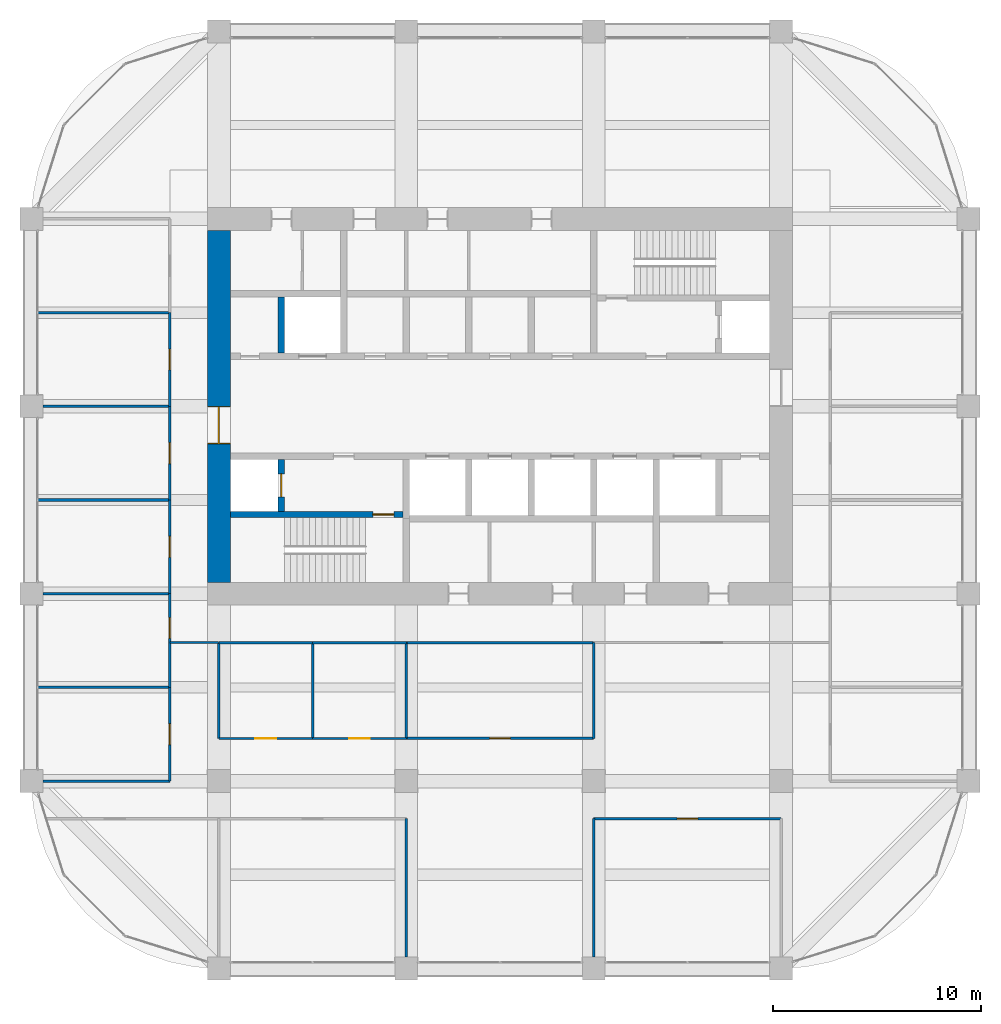
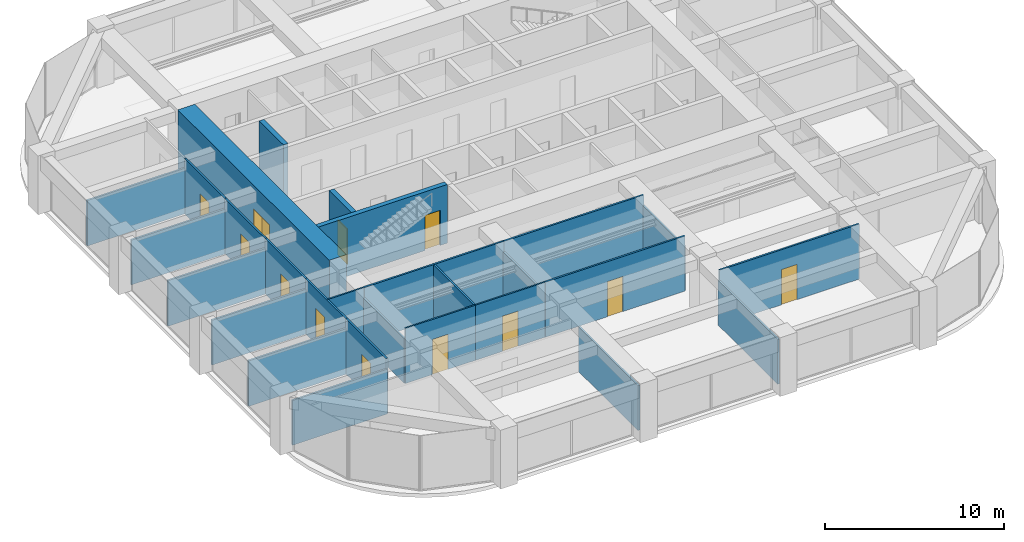
# One storey, part 41 of 44: 29 walls, 12 doors, 12 openings.
"""IFC4 building model written with IfcOpenShell, lengths in metres."""

from ifc_helpers import new_model, si_unit, direction, frame, frame_2d, origin, place, context, subcontext, project, spatial, rectangle, extrude, material, layer, layer_set, type_object, element, fill, save


model = new_model("IFC4")

# Units and contexts
model_context = context("Model", 3, precision=1e-05, world=origin(), true_north=direction((0.0, 1.0)))
body_context = subcontext(model_context, "Body", "Model", "MODEL_VIEW")
ifc_project = project(units=[si_unit("LENGTHUNIT", "METRE"), si_unit("AREAUNIT", "SQUARE_METRE"), si_unit("VOLUMEUNIT", "CUBIC_METRE"), si_unit("PLANEANGLEUNIT", "RADIAN"), si_unit("MASSUNIT", "GRAM", prefix="KILO")], contexts=[model_context])

# Site, building, storey
site_placement = place(None, origin())
site = spatial("IfcSite", under=ifc_project, at=site_placement, CompositionType="ELEMENT")
building_placement = place(site_placement, origin())
building = spatial("IfcBuilding", under=site, at=building_placement, Name="Zorevar Civic Tower", CompositionType="ELEMENT")
storey_placement = place(building_placement, frame((0.0, 0.0, 287.39990234375)))
storey = spatial("IfcBuildingStorey", under=building, at=storey_placement, Name="L70", CompositionType="ELEMENT", Elevation=287.39990234375)

# Wall, opening, door
ifc_material_1 = material(Name="Concrete C50/60", Category="concrete")
ifc_layer_1 = layer(ifc_material_1, 1.10009765625)
ifc_layer_set_1 = layer_set([ifc_layer_1], Name="Core wall 1100")
wall_type_1 = type_object("IfcWallType", Name="Core wall 1100", PredefinedType="SHEAR", material=ifc_layer_set_1)
wall_1_placement = place(storey_placement, frame((18.0, 35.449951171875, 0.0), z_axis=(0.0, 0.0, 1.0), x_axis=(0.0, -1.0, 0.0)))
wall_1 = element("IfcWall", 1, at=wall_1_placement, inside=storey, type_object=wall_type_1, Name="Core wall W L70", PredefinedType="SHEAR", context=body_context, shape_type="SweptSolid", body=[
    extrude(rectangle(XDim=16.89990234375, YDim=1.10009765625, at=frame_2d((8.449951171875, 0.0))), origin(), (0.0, 0.0, 1.0), 4.0),
])
opening_1_placement = place(wall_1_placement, frame((8.449951171875, 0.0, 0.0)))
opening_1 = element("IfcOpeningElement", 2, at=opening_1_placement, cuts=wall_1, Name="Opening L70.01", PredefinedType="OPENING", context=body_context, shape_type="SweptSolid", body=[
    extrude(rectangle(XDim=1.800048828125, YDim=2.39990234375, at=frame_2d((0.89990234375, 1.199951171875))), frame((0.0, 0.56005859375, 0.0), z_axis=(0.0, -1.0, 0.0), x_axis=(1.0, 0.0, 0.0)), (0.0, 0.0, 1.0), 1.1201171875),
])
ifc_material_2 = material(Name="Steel door set", Category="steel")
door_type_1 = type_object("IfcDoorType", Name="Fire door FD2 1800x2400", OperationType="DOUBLE_DOOR_DOUBLE_SWING", PredefinedType="DOOR", material=ifc_material_2)
door_1_placement = place(opening_1_placement, origin())
door_1 = element("IfcDoor", 3, at=door_1_placement, inside=storey, type_object=door_type_1, Name="Door L70 00", OperationType="DOUBLE_DOOR_DOUBLE_SWING", OverallHeight=2.39990234375, OverallWidth=1.800048828125, PredefinedType="DOOR", context=body_context, shape_type="SweptSolid", body=[
    extrude(rectangle(XDim=1.800048828125, YDim=2.39990234375, at=frame_2d((0.89990234375, 1.199951171875))), frame((0.0, 0.030029296875, 0.0), z_axis=(0.0, -1.0, 0.0), x_axis=(1.0, 0.0, 0.0)), (0.0, 0.0, 1.0), 0.06005859375),
    extrude(rectangle(XDim=0.04, YDim=2.39990234375, at=frame_2d((0.02001953125, 1.199951171875))), frame((0.0, 0.5498046875, 0.0), z_axis=(0.0, -1.0, 0.0), x_axis=(1.0, 0.0, 0.0)), (0.0, 0.0, 1.0), 1.099609375),
    extrude(rectangle(XDim=0.04, YDim=2.39990234375, at=frame_2d((1.780029296875, 1.199951171875))), frame((0.0, 0.5498046875, 0.0), z_axis=(0.0, -1.0, 0.0), x_axis=(1.0, 0.0, 0.0)), (0.0, 0.0, 1.0), 1.099609375),
    extrude(rectangle(XDim=1.800048828125, YDim=0.04, at=frame_2d((0.89990234375, 2.3798828125))), frame((0.0, 0.5498046875, 0.0), z_axis=(0.0, -1.0, 0.0), x_axis=(1.0, 0.0, 0.0)), (0.0, 0.0, 1.0), 1.099609375),
])
fill(opening_1, door_1)

ifc_material_3 = material(Name="Laminated glass in black aluminium frame", Category="aluminium")
ifc_layer_2 = layer(ifc_material_3, 0.10009765625)
ifc_layer_set_2 = layer_set([ifc_layer_2], Name="Glazed partition 100")
wall_type_2 = type_object("IfcWallType", Name="Glazed partition 100", PredefinedType="PARTITIONING", material=ifc_layer_set_2)
wall_2_placement = place(storey_placement, frame((18.0, 11.050048828125, 0.0), z_axis=(0.0, 0.0, 1.0), x_axis=(1.0, 0.0, 0.0)))
wall_2 = element("IfcWall", 4, at=wall_2_placement, inside=storey, type_object=wall_type_2, Name="Glazed partition 100 L70", PredefinedType="PARTITIONING", context=body_context, shape_type="SweptSolid", body=[
    extrude(rectangle(XDim=4.5, YDim=0.10009765625, at=frame_2d((2.25, 0.0))), origin(), (0.0, 0.0, 1.0), 3.75),
])
opening_2_placement = place(wall_2_placement, frame((1.75, 0.0, 0.0)))
opening_2 = element("IfcOpeningElement", 5, at=opening_2_placement, cuts=wall_2, Name="Opening L70.21", PredefinedType="OPENING", context=body_context, shape_type="SweptSolid", body=[
    extrude(rectangle(XDim=1.0, YDim=2.39990234375, at=frame_2d((0.5, 1.199951171875))), frame((0.0, 0.06005859375, 0.0), z_axis=(0.0, -1.0, 0.0), x_axis=(1.0, 0.0, 0.0)), (0.0, 0.0, 1.0), 0.1201171875),
])
ifc_material_4 = material(Name="Timber door set", Category="wood")
door_type_2 = type_object("IfcDoorType", Name="Glazed door GD1 1000x2400", OperationType="SINGLE_SWING_LEFT", PredefinedType="DOOR", material=ifc_material_4)
door_2_placement = place(opening_2_placement, origin())
door_2 = element("IfcDoor", 6, at=door_2_placement, inside=storey, type_object=door_type_2, Name="Door L70 D1", OperationType="SINGLE_SWING_LEFT", OverallHeight=2.39990234375, OverallWidth=1.0, PredefinedType="DOOR", context=body_context, shape_type="SweptSolid", body=[
    extrude(rectangle(XDim=1.0, YDim=2.39990234375, at=frame_2d((0.5, 1.199951171875))), frame((0.0, 0.02001953125, 0.0), z_axis=(0.0, -1.0, 0.0), x_axis=(1.0, 0.0, 0.0)), (0.0, 0.0, 1.0), 0.0400390625),
])
fill(opening_2, door_2)

wall_3_placement = place(storey_placement, frame((22.5, 11.050048828125, 0.0), z_axis=(0.0, 0.0, 1.0), x_axis=(1.0, 0.0, 0.0)))
wall_3 = element("IfcWall", 7, at=wall_3_placement, inside=storey, type_object=wall_type_2, Name="Glazed partition 100 L70", PredefinedType="PARTITIONING", context=body_context, shape_type="SweptSolid", body=[
    extrude(rectangle(XDim=4.5, YDim=0.10009765625, at=frame_2d((2.25, 0.0))), origin(), (0.0, 0.0, 1.0), 3.75),
])
opening_3_placement = place(wall_3_placement, frame((1.75, 0.0, 0.0)))
opening_3 = element("IfcOpeningElement", 8, at=opening_3_placement, cuts=wall_3, Name="Opening L70.22", PredefinedType="OPENING", context=body_context, shape_type="SweptSolid", body=[
    extrude(rectangle(XDim=1.0, YDim=2.39990234375, at=frame_2d((0.5, 1.199951171875))), frame((0.0, 0.06005859375, 0.0), z_axis=(0.0, -1.0, 0.0), x_axis=(1.0, 0.0, 0.0)), (0.0, 0.0, 1.0), 0.1201171875),
])
door_3_placement = place(opening_3_placement, origin())
door_3 = element("IfcDoor", 9, at=door_3_placement, inside=storey, type_object=door_type_2, Name="Door L70 D1", OperationType="SINGLE_SWING_LEFT", OverallHeight=2.39990234375, OverallWidth=1.0, PredefinedType="DOOR", context=body_context, shape_type="SweptSolid", body=[
    extrude(rectangle(XDim=1.0, YDim=2.39990234375, at=frame_2d((0.5, 1.199951171875))), frame((0.0, 0.02001953125, 0.0), z_axis=(0.0, -1.0, 0.0), x_axis=(1.0, 0.0, 0.0)), (0.0, 0.0, 1.0), 0.0400390625),
])
fill(opening_3, door_3)

# Wall
wall_4_placement = place(storey_placement, frame((15.659912109375, 15.64990234375, 0.0), z_axis=(0.0, 0.0, 1.0), x_axis=(1.0, 0.0, 0.0)))
element("IfcWall", 10, at=wall_4_placement, inside=storey, type_object=wall_type_2, Name="Glazed partition 100 L70", PredefinedType="PARTITIONING", context=body_context, shape_type="SweptSolid", body=[
    extrude(rectangle(XDim=2.330078125, YDim=0.10009765625, at=frame_2d((1.1650390625, 0.0))), origin(), (0.0, 0.0, 1.0), 3.75),
])

# Wall, opening, door
ifc_material_5 = material(Name="Concrete C40/50", Category="concrete")
ifc_layer_3 = layer(ifc_material_5, 0.300048828125)
ifc_layer_set_3 = layer_set([ifc_layer_3], Name="Inner core wall 300")
wall_type_3 = type_object("IfcWallType", Name="Inner core wall 300", PredefinedType="SHEAR", material=ifc_layer_set_3)
wall_5_placement = place(storey_placement, frame((18.550048828125, 21.800048828125, 0.0), z_axis=(0.0, 0.0, 1.0), x_axis=(1.0, 0.0, 0.0)))
wall_5 = element("IfcWall", 11, at=wall_5_placement, inside=storey, type_object=wall_type_3, Name="Inner core wall S00 L70", PredefinedType="SHEAR", context=body_context, shape_type="SweptSolid", body=[
    extrude(rectangle(XDim=8.300048828125, YDim=0.300048828125, at=frame_2d((4.14990234375, 0.0))), origin(), (0.0, 0.0, 1.0), 4.0),
])
opening_4_placement = place(wall_5_placement, frame((6.85009765625, 0.0, 0.0)))
opening_4 = element("IfcOpeningElement", 12, at=opening_4_placement, cuts=wall_5, Name="Opening L70.11", PredefinedType="OPENING", context=body_context, shape_type="SweptSolid", body=[
    extrude(rectangle(XDim=1.0, YDim=2.39990234375, at=frame_2d((0.5, 1.199951171875))), frame((0.0, 0.159912109375, 0.0), z_axis=(0.0, -1.0, 0.0), x_axis=(1.0, 0.0, 0.0)), (0.0, 0.0, 1.0), 0.320068359375),
])
ifc_material_6 = material(Name="Steel door set", Category="steel")
door_type_3 = type_object("IfcDoorType", Name="Fire door FD1 1000x2400", OperationType="SINGLE_SWING_LEFT", PredefinedType="DOOR", material=ifc_material_6)
door_4_placement = place(opening_4_placement, origin())
door_4 = element("IfcDoor", 13, at=door_4_placement, inside=storey, type_object=door_type_3, Name="Door L70 10", OperationType="SINGLE_SWING_RIGHT", OverallHeight=2.39990234375, OverallWidth=1.0, PredefinedType="DOOR", context=body_context, shape_type="SweptSolid", body=[
    extrude(rectangle(XDim=1.0, YDim=2.39990234375, at=frame_2d((0.5, 1.199951171875))), frame((0.0, 0.030029296875, 0.0), z_axis=(0.0, -1.0, 0.0), x_axis=(1.0, 0.0, 0.0)), (0.0, 0.0, 1.0), 0.06005859375),
])
fill(opening_4, door_4)

wall_6_placement = place(storey_placement, frame((21.0, 21.949951171875, 0.0), z_axis=(0.0, 0.0, 1.0), x_axis=(0.0, 1.0, 0.0)))
wall_6 = element("IfcWall", 14, at=wall_6_placement, inside=storey, type_object=wall_type_3, Name="Inner core wall S02 L70", PredefinedType="SHEAR", context=body_context, shape_type="SweptSolid", body=[
    extrude(rectangle(XDim=2.5, YDim=0.300048828125, at=frame_2d((1.25, 0.0))), origin(), (0.0, 0.0, 1.0), 4.0),
])
opening_5_placement = place(wall_6_placement, frame((0.699951171875, 0.0, 0.0)))
opening_5 = element("IfcOpeningElement", 15, at=opening_5_placement, cuts=wall_6, Name="Opening L70.FL1", PredefinedType="OPENING", context=body_context, shape_type="SweptSolid", body=[
    extrude(rectangle(XDim=1.10009765625, YDim=2.39990234375, at=frame_2d((0.550048828125, 1.199951171875))), frame((0.0, 0.159912109375, 0.0), z_axis=(0.0, -1.0, 0.0), x_axis=(1.0, 0.0, 0.0)), (0.0, 0.0, 1.0), 0.320068359375),
])
ifc_material_7 = material(Name="Steel door set", Category="steel")
door_type_4 = type_object("IfcDoorType", Name="Firefighting lift landing door LD3 1100x2400", OperationType="DOUBLE_DOOR_SLIDING", PredefinedType="DOOR", material=ifc_material_7)
door_5_placement = place(opening_5_placement, origin())
door_5 = element("IfcDoor", 16, at=door_5_placement, inside=storey, type_object=door_type_4, Name="Landing door FL1 L70", OperationType="DOUBLE_DOOR_SLIDING", OverallHeight=2.39990234375, OverallWidth=1.10009765625, PredefinedType="DOOR", context=body_context, shape_type="SweptSolid", body=[
    extrude(rectangle(XDim=1.10009765625, YDim=2.39990234375, at=frame_2d((0.550048828125, 1.199951171875))), frame((0.0, 0.030029296875, 0.0), z_axis=(0.0, -1.0, 0.0), x_axis=(1.0, 0.0, 0.0)), (0.0, 0.0, 1.0), 0.06005859375),
])
fill(opening_5, door_5)

# Wall
wall_7_placement = place(storey_placement, frame((21.0, 29.550048828125, 0.0), z_axis=(0.0, 0.0, 1.0), x_axis=(0.0, 1.0, 0.0)))
element("IfcWall", 17, at=wall_7_placement, inside=storey, type_object=wall_type_3, Name="Inner core wall N09 L70", PredefinedType="SHEAR", context=body_context, shape_type="SweptSolid", body=[
    extrude(rectangle(XDim=2.699951171875, YDim=0.300048828125, at=frame_2d((1.35009765625, 0.0))), origin(), (0.0, 0.0, 1.0), 4.0),
])

# Wall, opening, door
ifc_material_8 = material(Name="Gypsum board on steel studs", Category="steel")
ifc_layer_4 = layer(ifc_material_8, 0.1201171875)
ifc_layer_set_4 = layer_set([ifc_layer_4], Name="Partition 120")
wall_type_4 = type_object("IfcWallType", Name="Partition 120", PredefinedType="PARTITIONING", material=ifc_layer_set_4)
wall_8_placement = place(storey_placement, frame((36.0, 7.199951171875, 0.0), z_axis=(0.0, 0.0, 1.0), x_axis=(1.0, 0.0, 0.0)))
wall_8 = element("IfcWall", 18, at=wall_8_placement, inside=storey, type_object=wall_type_4, Name="Partition 120 L70", PredefinedType="PARTITIONING", context=body_context, shape_type="SweptSolid", body=[
    extrude(rectangle(XDim=9.0, YDim=0.1201171875, at=frame_2d((4.5, 0.0))), origin(), (0.0, 0.0, 1.0), 3.75),
])
opening_6_placement = place(wall_8_placement, frame((4.0, 0.0, 0.0)))
opening_6 = element("IfcOpeningElement", 19, at=opening_6_placement, cuts=wall_8, Name="Opening L70.18", PredefinedType="OPENING", context=body_context, shape_type="SweptSolid", body=[
    extrude(rectangle(XDim=1.0, YDim=2.39990234375, at=frame_2d((0.5, 1.199951171875))), frame((0.0, 0.070068359375, 0.0), z_axis=(0.0, -1.0, 0.0), x_axis=(1.0, 0.0, 0.0)), (0.0, 0.0, 1.0), 0.14013671875),
])
ifc_material_9 = material(Name="Timber door set", Category="wood")
door_type_5 = type_object("IfcDoorType", Name="Door D1 1000x2400", OperationType="SINGLE_SWING_LEFT", PredefinedType="DOOR", material=ifc_material_9)
door_6_placement = place(opening_6_placement, origin())
door_6 = element("IfcDoor", 20, at=door_6_placement, inside=storey, type_object=door_type_5, Name="Door L70 D1", OperationType="SINGLE_SWING_LEFT", OverallHeight=2.39990234375, OverallWidth=1.0, PredefinedType="DOOR", context=body_context, shape_type="SweptSolid", body=[
    extrude(rectangle(XDim=1.0, YDim=2.39990234375, at=frame_2d((0.5, 1.199951171875))), frame((0.0, 0.02490234375, 0.0), z_axis=(0.0, -1.0, 0.0), x_axis=(1.0, 0.0, 0.0)), (0.0, 0.0, 1.0), 0.050048828125),
])
fill(opening_6, door_6)

# Wall
wall_9_placement = place(storey_placement, frame((9.550048828125, 9.0, 0.0), z_axis=(0.0, 0.0, 1.0), x_axis=(1.0, 0.0, 0.0)))
element("IfcWall", 21, at=wall_9_placement, inside=storey, type_object=wall_type_4, Name="Partition 120 L70", PredefinedType="PARTITIONING", context=body_context, shape_type="SweptSolid", body=[
    extrude(rectangle(XDim=6.099853515625, YDim=0.1201171875, at=frame_2d((3.0498046875, 0.0))), origin(), (0.0, 0.0, 1.0), 3.050048828125),
])

# Wall, opening, door
wall_10_placement = place(storey_placement, frame((27.0, 11.050048828125, 0.0), z_axis=(0.0, 0.0, 1.0), x_axis=(1.0, 0.0, 0.0)))
wall_10 = element("IfcWall", 22, at=wall_10_placement, inside=storey, type_object=wall_type_4, Name="Partition 120 L70", PredefinedType="PARTITIONING", context=body_context, shape_type="SweptSolid", body=[
    extrude(rectangle(XDim=9.0, YDim=0.1201171875, at=frame_2d((4.5, 0.0))), origin(), (0.0, 0.0, 1.0), 3.75),
])
opening_7_placement = place(wall_10_placement, frame((4.0, 0.0, 0.0)))
opening_7 = element("IfcOpeningElement", 23, at=opening_7_placement, cuts=wall_10, Name="Opening L70.20", PredefinedType="OPENING", context=body_context, shape_type="SweptSolid", body=[
    extrude(rectangle(XDim=1.0, YDim=2.39990234375, at=frame_2d((0.5, 1.199951171875))), frame((0.0, 0.070068359375, 0.0), z_axis=(0.0, -1.0, 0.0), x_axis=(1.0, 0.0, 0.0)), (0.0, 0.0, 1.0), 0.14013671875),
])
door_7_placement = place(opening_7_placement, origin())
door_7 = element("IfcDoor", 24, at=door_7_placement, inside=storey, type_object=door_type_5, Name="Door L70 D1", OperationType="SINGLE_SWING_RIGHT", OverallHeight=2.39990234375, OverallWidth=1.0, PredefinedType="DOOR", context=body_context, shape_type="SweptSolid", body=[
    extrude(rectangle(XDim=1.0, YDim=2.39990234375, at=frame_2d((0.5, 1.199951171875))), frame((0.0, 0.02490234375, 0.0), z_axis=(0.0, -1.0, 0.0), x_axis=(1.0, 0.0, 0.0)), (0.0, 0.0, 1.0), 0.050048828125),
])
fill(opening_7, door_7)

# Walls
wall_11_placement = place(storey_placement, frame((9.31005859375, 13.5, 0.0), z_axis=(0.0, 0.0, 1.0), x_axis=(1.0, 0.0, 0.0)))
element("IfcWall", 25, at=wall_11_placement, inside=storey, type_object=wall_type_4, Name="Partition 120 L70", PredefinedType="PARTITIONING", context=body_context, shape_type="SweptSolid", body=[
    extrude(rectangle(XDim=6.33984375, YDim=0.1201171875, at=frame_2d((3.169921875, 0.0))), origin(), (0.0, 0.0, 1.0), 3.10009765625),
])
wall_12_placement = place(storey_placement, frame((27.0, 15.64990234375, 0.0), z_axis=(0.0, 0.0, 1.0), x_axis=(1.0, 0.0, 0.0)))
element("IfcWall", 26, at=wall_12_placement, inside=storey, type_object=wall_type_4, Name="Partition 120 L70", PredefinedType="PARTITIONING", context=body_context, shape_type="SweptSolid", body=[
    extrude(rectangle(XDim=9.0, YDim=0.1201171875, at=frame_2d((4.5, 0.0))), origin(), (0.0, 0.0, 1.0), 3.75),
])
for number, where, z_axis, x_axis, name in (
    (27, (18.0, 15.64990234375, 0.0), (0.0, 0.0, 1.0), (1.0, 0.0, 0.0), "Partition 120 L70"),
    (28, (22.5, 15.64990234375, 0.0), (0.0, 0.0, 1.0), (1.0, 0.0, 0.0), "Partition 120 L70"),
):
    element("IfcWall", number, at=place(storey_placement, frame(where, z_axis=z_axis, x_axis=x_axis)), inside=storey, type_object=wall_type_4, Name=name, PredefinedType="PARTITIONING", context=body_context, shape_type="SweptSolid", body=[
        extrude(rectangle(XDim=4.5, YDim=0.1201171875, at=frame_2d((2.25, 0.0))), origin(), (0.0, 0.0, 1.0), 3.75),
    ])
wall_13_placement = place(storey_placement, frame((9.550048828125, 18.0, 0.0), z_axis=(0.0, 0.0, 1.0), x_axis=(1.0, 0.0, 0.0)))
element("IfcWall", 29, at=wall_13_placement, inside=storey, type_object=wall_type_4, Name="Partition 120 L70", PredefinedType="PARTITIONING", context=body_context, shape_type="SweptSolid", body=[
    extrude(rectangle(XDim=6.099853515625, YDim=0.1201171875, at=frame_2d((3.0498046875, 0.0))), origin(), (0.0, 0.0, 1.0), 3.050048828125),
])
wall_14_placement = place(storey_placement, frame((9.31005859375, 22.5, 0.0), z_axis=(0.0, 0.0, 1.0), x_axis=(1.0, 0.0, 0.0)))
element("IfcWall", 30, at=wall_14_placement, inside=storey, type_object=wall_type_4, Name="Partition 120 L70", PredefinedType="PARTITIONING", context=body_context, shape_type="SweptSolid", body=[
    extrude(rectangle(XDim=6.33984375, YDim=0.1201171875, at=frame_2d((3.169921875, 0.0))), origin(), (0.0, 0.0, 1.0), 3.10009765625),
])
wall_15_placement = place(storey_placement, frame((9.550048828125, 27.0, 0.0), z_axis=(0.0, 0.0, 1.0), x_axis=(1.0, 0.0, 0.0)))
element("IfcWall", 31, at=wall_15_placement, inside=storey, type_object=wall_type_4, Name="Partition 120 L70", PredefinedType="PARTITIONING", context=body_context, shape_type="SweptSolid", body=[
    extrude(rectangle(XDim=6.099853515625, YDim=0.1201171875, at=frame_2d((3.0498046875, 0.0))), origin(), (0.0, 0.0, 1.0), 3.050048828125),
])
wall_16_placement = place(storey_placement, frame((9.31005859375, 31.5, 0.0), z_axis=(0.0, 0.0, 1.0), x_axis=(1.0, 0.0, 0.0)))
element("IfcWall", 32, at=wall_16_placement, inside=storey, type_object=wall_type_4, Name="Partition 120 L70", PredefinedType="PARTITIONING", context=body_context, shape_type="SweptSolid", body=[
    extrude(rectangle(XDim=6.33984375, YDim=0.1201171875, at=frame_2d((3.169921875, 0.0))), origin(), (0.0, 0.0, 1.0), 3.10009765625),
])

# Wall, opening, door
wall_17_placement = place(storey_placement, frame((15.64990234375, 9.0, 0.0), z_axis=(0.0, 0.0, 1.0), x_axis=(0.0, 1.0, 0.0)))
wall_17 = element("IfcWall", 33, at=wall_17_placement, inside=storey, type_object=wall_type_4, Name="Partition 120 L70", PredefinedType="PARTITIONING", context=body_context, shape_type="SweptSolid", body=[
    extrude(rectangle(XDim=4.5, YDim=0.1201171875, at=frame_2d((2.25, 0.0))), origin(), (0.0, 0.0, 1.0), 3.75),
])
opening_8_placement = place(wall_17_placement, frame((1.75, 0.0, 0.0)))
opening_8 = element("IfcOpeningElement", 34, at=opening_8_placement, cuts=wall_17, Name="Opening L70.24", PredefinedType="OPENING", context=body_context, shape_type="SweptSolid", body=[
    extrude(rectangle(XDim=1.0, YDim=2.39990234375, at=frame_2d((0.5, 1.199951171875))), frame((0.0, 0.070068359375, 0.0), z_axis=(0.0, -1.0, 0.0), x_axis=(1.0, 0.0, 0.0)), (0.0, 0.0, 1.0), 0.14013671875),
])
door_8_placement = place(opening_8_placement, origin())
door_8 = element("IfcDoor", 35, at=door_8_placement, inside=storey, type_object=door_type_5, Name="Door L70 D1", OperationType="SINGLE_SWING_LEFT", OverallHeight=2.39990234375, OverallWidth=1.0, PredefinedType="DOOR", context=body_context, shape_type="SweptSolid", body=[
    extrude(rectangle(XDim=1.0, YDim=2.39990234375, at=frame_2d((0.5, 1.199951171875))), frame((0.0, 0.02490234375, 0.0), z_axis=(0.0, -1.0, 0.0), x_axis=(1.0, 0.0, 0.0)), (0.0, 0.0, 1.0), 0.050048828125),
])
fill(opening_8, door_8)

wall_18_placement = place(storey_placement, frame((15.64990234375, 13.5, 0.0), z_axis=(0.0, 0.0, 1.0), x_axis=(0.0, 1.0, 0.0)))
wall_18 = element("IfcWall", 36, at=wall_18_placement, inside=storey, type_object=wall_type_4, Name="Partition 120 L70", PredefinedType="PARTITIONING", context=body_context, shape_type="SweptSolid", body=[
    extrude(rectangle(XDim=4.5, YDim=0.1201171875, at=frame_2d((2.25, 0.0))), origin(), (0.0, 0.0, 1.0), 3.75),
])
opening_9_placement = place(wall_18_placement, frame((2.35009765625, 0.0, 0.0)))
opening_9 = element("IfcOpeningElement", 37, at=opening_9_placement, cuts=wall_18, Name="Opening L70.25", PredefinedType="OPENING", context=body_context, shape_type="SweptSolid", body=[
    extrude(rectangle(XDim=1.0, YDim=2.39990234375, at=frame_2d((0.5, 1.199951171875))), frame((0.0, 0.070068359375, 0.0), z_axis=(0.0, -1.0, 0.0), x_axis=(1.0, 0.0, 0.0)), (0.0, 0.0, 1.0), 0.14013671875),
])
door_9_placement = place(opening_9_placement, origin())
door_9 = element("IfcDoor", 38, at=door_9_placement, inside=storey, type_object=door_type_5, Name="Door L70 D1", OperationType="SINGLE_SWING_RIGHT", OverallHeight=2.39990234375, OverallWidth=1.0, PredefinedType="DOOR", context=body_context, shape_type="SweptSolid", body=[
    extrude(rectangle(XDim=1.0, YDim=2.39990234375, at=frame_2d((0.5, 1.199951171875))), frame((0.0, 0.02490234375, 0.0), z_axis=(0.0, -1.0, 0.0), x_axis=(1.0, 0.0, 0.0)), (0.0, 0.0, 1.0), 0.050048828125),
])
fill(opening_9, door_9)

wall_19_placement = place(storey_placement, frame((15.64990234375, 18.0, 0.0), z_axis=(0.0, 0.0, 1.0), x_axis=(0.0, 1.0, 0.0)))
wall_19 = element("IfcWall", 39, at=wall_19_placement, inside=storey, type_object=wall_type_4, Name="Partition 120 L70", PredefinedType="PARTITIONING", context=body_context, shape_type="SweptSolid", body=[
    extrude(rectangle(XDim=4.5, YDim=0.1201171875, at=frame_2d((2.25, 0.0))), origin(), (0.0, 0.0, 1.0), 3.75),
])
opening_10_placement = place(wall_19_placement, frame((1.75, 0.0, 0.0)))
opening_10 = element("IfcOpeningElement", 40, at=opening_10_placement, cuts=wall_19, Name="Opening L70.26", PredefinedType="OPENING", context=body_context, shape_type="SweptSolid", body=[
    extrude(rectangle(XDim=1.0, YDim=2.39990234375, at=frame_2d((0.5, 1.199951171875))), frame((0.0, 0.070068359375, 0.0), z_axis=(0.0, -1.0, 0.0), x_axis=(1.0, 0.0, 0.0)), (0.0, 0.0, 1.0), 0.14013671875),
])
door_10_placement = place(opening_10_placement, origin())
door_10 = element("IfcDoor", 41, at=door_10_placement, inside=storey, type_object=door_type_5, Name="Door L70 D1", OperationType="SINGLE_SWING_LEFT", OverallHeight=2.39990234375, OverallWidth=1.0, PredefinedType="DOOR", context=body_context, shape_type="SweptSolid", body=[
    extrude(rectangle(XDim=1.0, YDim=2.39990234375, at=frame_2d((0.5, 1.199951171875))), frame((0.0, 0.02490234375, 0.0), z_axis=(0.0, -1.0, 0.0), x_axis=(1.0, 0.0, 0.0)), (0.0, 0.0, 1.0), 0.050048828125),
])
fill(opening_10, door_10)

wall_20_placement = place(storey_placement, frame((15.64990234375, 22.5, 0.0), z_axis=(0.0, 0.0, 1.0), x_axis=(0.0, 1.0, 0.0)))
wall_20 = element("IfcWall", 42, at=wall_20_placement, inside=storey, type_object=wall_type_4, Name="Partition 120 L70", PredefinedType="PARTITIONING", context=body_context, shape_type="SweptSolid", body=[
    extrude(rectangle(XDim=4.5, YDim=0.1201171875, at=frame_2d((2.25, 0.0))), origin(), (0.0, 0.0, 1.0), 3.75),
])
opening_11_placement = place(wall_20_placement, frame((1.75, 0.0, 0.0)))
opening_11 = element("IfcOpeningElement", 43, at=opening_11_placement, cuts=wall_20, Name="Opening L70.27", PredefinedType="OPENING", context=body_context, shape_type="SweptSolid", body=[
    extrude(rectangle(XDim=1.0, YDim=2.39990234375, at=frame_2d((0.5, 1.199951171875))), frame((0.0, 0.070068359375, 0.0), z_axis=(0.0, -1.0, 0.0), x_axis=(1.0, 0.0, 0.0)), (0.0, 0.0, 1.0), 0.14013671875),
])
door_11_placement = place(opening_11_placement, origin())
door_11 = element("IfcDoor", 44, at=door_11_placement, inside=storey, type_object=door_type_5, Name="Door L70 D1", OperationType="SINGLE_SWING_LEFT", OverallHeight=2.39990234375, OverallWidth=1.0, PredefinedType="DOOR", context=body_context, shape_type="SweptSolid", body=[
    extrude(rectangle(XDim=1.0, YDim=2.39990234375, at=frame_2d((0.5, 1.199951171875))), frame((0.0, 0.02490234375, 0.0), z_axis=(0.0, -1.0, 0.0), x_axis=(1.0, 0.0, 0.0)), (0.0, 0.0, 1.0), 0.050048828125),
])
fill(opening_11, door_11)

wall_21_placement = place(storey_placement, frame((15.64990234375, 27.0, 0.0), z_axis=(0.0, 0.0, 1.0), x_axis=(0.0, 1.0, 0.0)))
wall_21 = element("IfcWall", 45, at=wall_21_placement, inside=storey, type_object=wall_type_4, Name="Partition 120 L70", PredefinedType="PARTITIONING", context=body_context, shape_type="SweptSolid", body=[
    extrude(rectangle(XDim=4.5, YDim=0.1201171875, at=frame_2d((2.25, 0.0))), origin(), (0.0, 0.0, 1.0), 3.75),
])
opening_12_placement = place(wall_21_placement, frame((1.75, 0.0, 0.0)))
opening_12 = element("IfcOpeningElement", 46, at=opening_12_placement, cuts=wall_21, Name="Opening L70.28", PredefinedType="OPENING", context=body_context, shape_type="SweptSolid", body=[
    extrude(rectangle(XDim=1.0, YDim=2.39990234375, at=frame_2d((0.5, 1.199951171875))), frame((0.0, 0.070068359375, 0.0), z_axis=(0.0, -1.0, 0.0), x_axis=(1.0, 0.0, 0.0)), (0.0, 0.0, 1.0), 0.14013671875),
])
door_12_placement = place(opening_12_placement, origin())
door_12 = element("IfcDoor", 47, at=door_12_placement, inside=storey, type_object=door_type_5, Name="Door L70 D1", OperationType="SINGLE_SWING_RIGHT", OverallHeight=2.39990234375, OverallWidth=1.0, PredefinedType="DOOR", context=body_context, shape_type="SweptSolid", body=[
    extrude(rectangle(XDim=1.0, YDim=2.39990234375, at=frame_2d((0.5, 1.199951171875))), frame((0.0, 0.02490234375, 0.0), z_axis=(0.0, -1.0, 0.0), x_axis=(1.0, 0.0, 0.0)), (0.0, 0.0, 1.0), 0.050048828125),
])
fill(opening_12, door_12)

# Walls
wall_22_placement = place(storey_placement, frame((18.0, 11.050048828125, 0.0), z_axis=(0.0, 0.0, 1.0), x_axis=(0.0, 1.0, 0.0)))
element("IfcWall", 48, at=wall_22_placement, inside=storey, type_object=wall_type_4, Name="Partition 120 L70", PredefinedType="PARTITIONING", context=body_context, shape_type="SweptSolid", body=[
    extrude(rectangle(XDim=4.599853515625, YDim=0.1201171875, at=frame_2d((2.2998046875, 0.0))), origin(), (0.0, 0.0, 1.0), 3.050048828125),
])
wall_23_placement = place(storey_placement, frame((22.5, 11.050048828125, 0.0), z_axis=(0.0, 0.0, 1.0), x_axis=(0.0, 1.0, 0.0)))
element("IfcWall", 49, at=wall_23_placement, inside=storey, type_object=wall_type_4, Name="Partition 120 L70", PredefinedType="PARTITIONING", context=body_context, shape_type="SweptSolid", body=[
    extrude(rectangle(XDim=4.599853515625, YDim=0.1201171875, at=frame_2d((2.2998046875, 0.0))), origin(), (0.0, 0.0, 1.0), 3.75),
])
wall_24_placement = place(storey_placement, frame((27.0, 0.550048828125, 0.0), z_axis=(0.0, 0.0, 1.0), x_axis=(0.0, 1.0, 0.0)))
element("IfcWall", 50, at=wall_24_placement, inside=storey, type_object=wall_type_4, Name="Partition 120 L70", PredefinedType="PARTITIONING", context=body_context, shape_type="SweptSolid", body=[
    extrude(rectangle(XDim=6.64990234375, YDim=0.1201171875, at=frame_2d((3.324951171875, 0.0))), origin(), (0.0, 0.0, 1.0), 3.050048828125),
])
wall_25_placement = place(storey_placement, frame((27.0, 11.050048828125, 0.0), z_axis=(0.0, 0.0, 1.0), x_axis=(0.0, 1.0, 0.0)))
element("IfcWall", 51, at=wall_25_placement, inside=storey, type_object=wall_type_4, Name="Partition 120 L70", PredefinedType="PARTITIONING", context=body_context, shape_type="SweptSolid", body=[
    extrude(rectangle(XDim=4.599853515625, YDim=0.1201171875, at=frame_2d((2.2998046875, 0.0))), origin(), (0.0, 0.0, 1.0), 3.050048828125),
])
wall_26_placement = place(storey_placement, frame((36.0, 0.550048828125, 0.0), z_axis=(0.0, 0.0, 1.0), x_axis=(0.0, 1.0, 0.0)))
element("IfcWall", 52, at=wall_26_placement, inside=storey, type_object=wall_type_4, Name="Partition 120 L70", PredefinedType="PARTITIONING", context=body_context, shape_type="SweptSolid", body=[
    extrude(rectangle(XDim=6.64990234375, YDim=0.1201171875, at=frame_2d((3.324951171875, 0.0))), origin(), (0.0, 0.0, 1.0), 3.050048828125),
])
wall_27_placement = place(storey_placement, frame((36.0, 11.050048828125, 0.0), z_axis=(0.0, 0.0, 1.0), x_axis=(0.0, 1.0, 0.0)))
element("IfcWall", 53, at=wall_27_placement, inside=storey, type_object=wall_type_4, Name="Partition 120 L70", PredefinedType="PARTITIONING", context=body_context, shape_type="SweptSolid", body=[
    extrude(rectangle(XDim=4.599853515625, YDim=0.1201171875, at=frame_2d((2.2998046875, 0.0))), origin(), (0.0, 0.0, 1.0), 3.050048828125),
])

save(model, "model.ifc")
